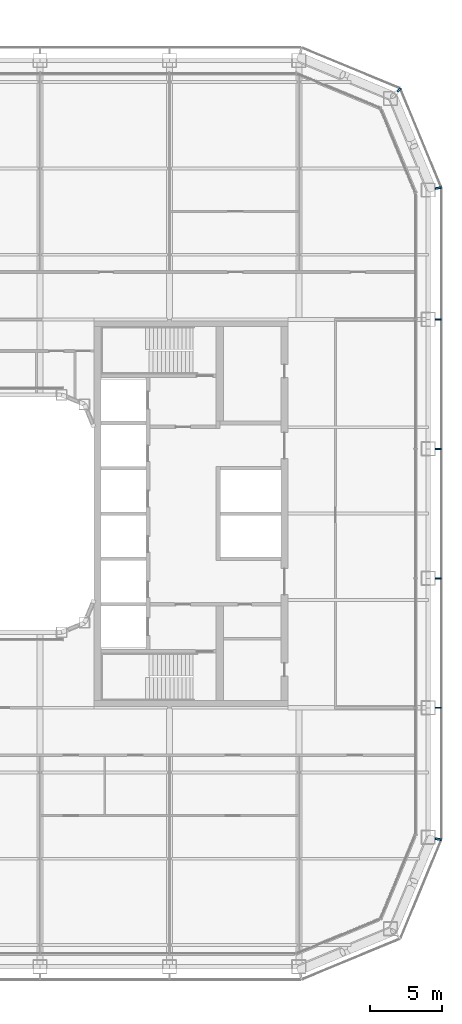
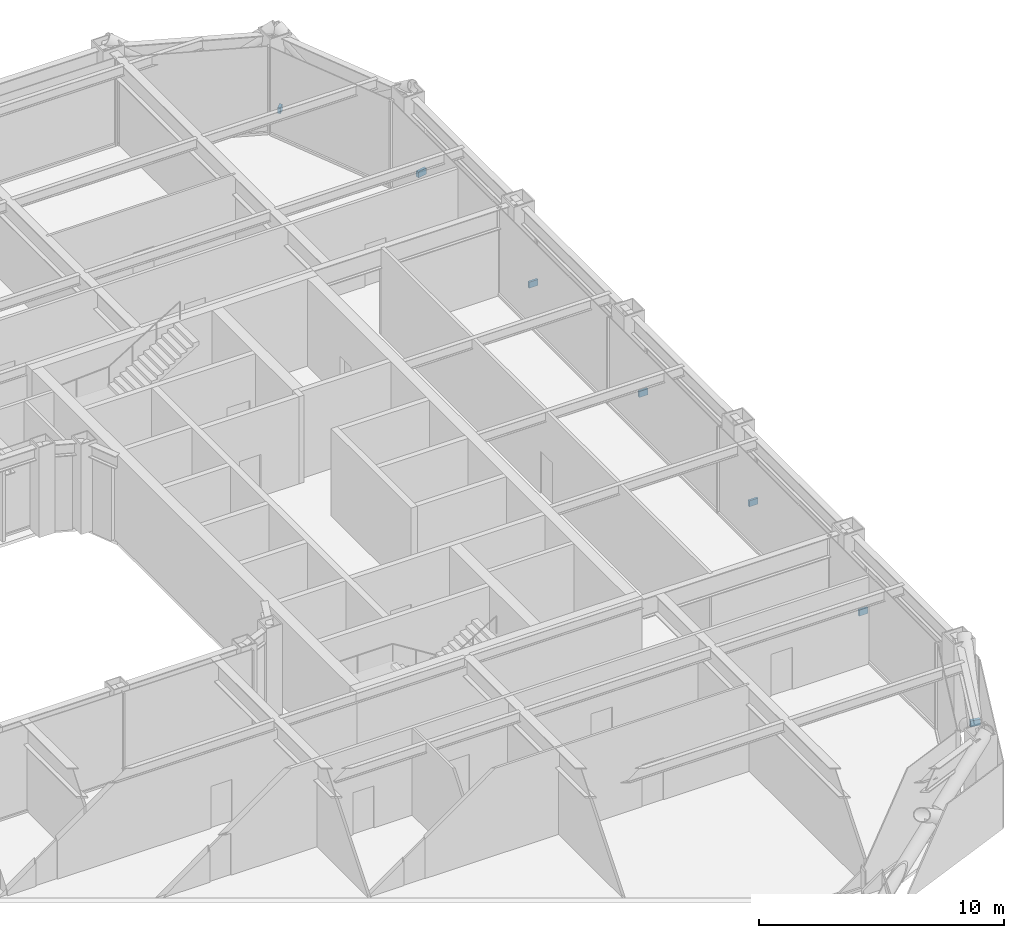
# One storey, part 20 of 28: 7 discrete accessories.
"""IFC4 building model written with IfcOpenShell, lengths in metres."""

from ifc_helpers import new_model, si_unit, direction, frame, origin, origin_2d, place, context, subcontext, project, spatial, rectangle, extrude, material, type_object, element, save


model = new_model("IFC4")

# Units and contexts
model_context = context("Model", 3, precision=1e-05, world=origin(), true_north=direction((0.0, 1.0)))
body_context = subcontext(model_context, "Body", "Model", "MODEL_VIEW")
ifc_project = project(units=[si_unit("LENGTHUNIT", "METRE"), si_unit("AREAUNIT", "SQUARE_METRE"), si_unit("VOLUMEUNIT", "CUBIC_METRE"), si_unit("PLANEANGLEUNIT", "RADIAN"), si_unit("MASSUNIT", "GRAM", prefix="KILO")], contexts=[model_context])

# Site, building, storey
site_placement = place(None, origin())
site = spatial("IfcSite", under=ifc_project, at=site_placement, CompositionType="ELEMENT")
building_placement = place(site_placement, origin())
building = spatial("IfcBuilding", under=site, at=building_placement, Name="Siwar Civic Tower", CompositionType="ELEMENT")
storey_placement = place(building_placement, frame((0.0, 0.0, 85.199951171875)))
storey = spatial("IfcBuildingStorey", under=building, at=storey_placement, Name="L18", CompositionType="ELEMENT", Elevation=85.199951171875)

# Discrete accessories
ifc_material = material(Name="Stainless steel 316", Category="steel")
discrete_accessory_type = type_object("IfcDiscreteAccessoryType", Name="ENV-BRACKET", PredefinedType="BRACKET", material=ifc_material)
for number, where, z_axis, x_axis, name in (
    (1, (32.18994140625, -13.5, -0.14990234375), (0.0, 0.0, 1.0), (1.0, 0.0, 0.0), "Bracket outer skin joint E-01"),
    (2, (32.18994140625, -4.5, -0.14990234375), (0.0, 0.0, 1.0), (1.0, 0.0, 0.0), "Bracket outer skin joint E-02"),
    (3, (32.18994140625, 4.5, -0.14990234375), (0.0, 0.0, 1.0), (1.0, 0.0, 0.0), "Bracket outer skin joint E-03"),
    (4, (32.18994140625, 13.5, -0.14990234375), (0.0, 0.0, 1.0), (1.0, 0.0, 0.0), "Bracket outer skin joint E-04"),
):
    element("IfcDiscreteAccessory", number, at=place(storey_placement, frame(where, z_axis=z_axis, x_axis=x_axis)), inside=storey, type_object=discrete_accessory_type, Name=name, PredefinedType="BRACKET", context=body_context, shape_type="SweptSolid", body=[
        extrude(rectangle(XDim=0.419921875, YDim=0.10009765625, at=origin_2d()), origin(), (0.0, 0.0, 1.0), 0.300048828125),
    ])
for number, where, z_axis, x_axis, name in (
    (5, (32.190185546875, -22.63720703125, -0.14990234375), (0.0, 0.0, 1.0), (0.980785280403, -0.195090322016, 0.0), "Bracket outer skin joint V03"),
    (6, (32.190185546875, 22.63720703125, -0.14990234375), (0.0, 0.0, 1.0), (0.980785280403, 0.195090322016, 0.0), "Bracket outer skin joint V04"),
):
    element("IfcDiscreteAccessory", number, at=place(storey_placement, frame(where, z_axis=z_axis, x_axis=x_axis)), inside=storey, type_object=discrete_accessory_type, Name=name, PredefinedType="BRACKET", context=body_context, shape_type="SweptSolid", body=[
        extrude(rectangle(XDim=0.427734375, YDim=0.13720703125, at=origin_2d()), origin(), (0.0, 0.0, 1.0), 0.300048828125),
    ])
discrete_accessory_placement = place(storey_placement, frame((29.451416015625, 29.451416015625, -0.14990234375), z_axis=(0.0, 0.0, 1.0), x_axis=(0.707106781187, 0.707106781187, 0.0)))
element("IfcDiscreteAccessory", 7, at=discrete_accessory_placement, inside=storey, type_object=discrete_accessory_type, Name="Bracket outer skin joint V05", PredefinedType="BRACKET", context=body_context, shape_type="SweptSolid", body=[
    extrude(rectangle(XDim=0.287109375, YDim=0.12939453125, at=origin_2d()), origin(), (0.0, 0.0, 1.0), 0.300048828125),
])

save(model, "model.ifc")
